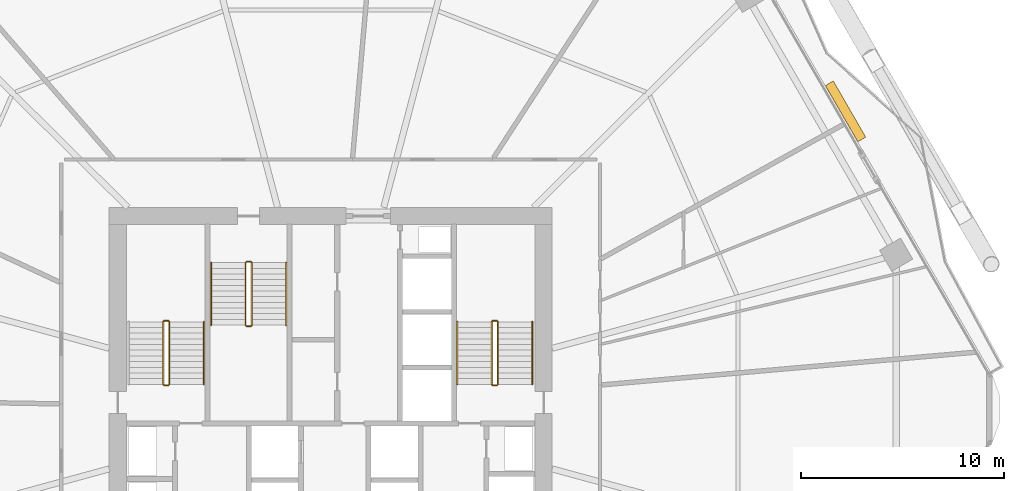
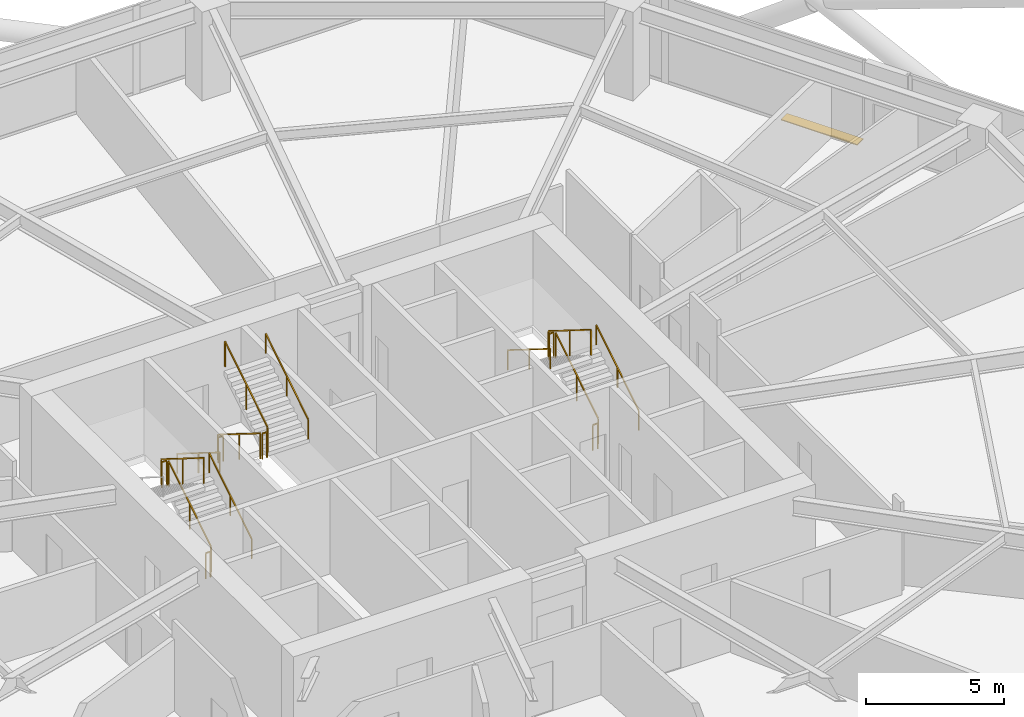
# One storey, part 29 of 30: 17 railings, 1 shading device.
"""IFC4 building model written with IfcOpenShell, lengths in metres."""

from ifc_helpers import new_model, si_unit, direction, frame, origin, origin_2d, place, context, subcontext, project, spatial, rectangle, extrude, material, layer, layer_set, type_object, element, save


model = new_model("IFC4")

# Units and contexts
model_context = context("Model", 3, precision=1e-05, world=origin(), true_north=direction((0.0, 1.0)))
body_context = subcontext(model_context, "Body", "Model", "MODEL_VIEW")
ifc_project = project(units=[si_unit("LENGTHUNIT", "METRE"), si_unit("AREAUNIT", "SQUARE_METRE"), si_unit("VOLUMEUNIT", "CUBIC_METRE"), si_unit("PLANEANGLEUNIT", "RADIAN"), si_unit("MASSUNIT", "GRAM", prefix="KILO")], contexts=[model_context])

# Site, building, storey
site_placement = place(None, origin())
site = spatial("IfcSite", under=ifc_project, at=site_placement, CompositionType="ELEMENT")
building_placement = place(site_placement, origin())
building = spatial("IfcBuilding", under=site, at=building_placement, Name="Zuhravey Tower", CompositionType="ELEMENT")
storey_placement = place(building_placement, frame((0.0, 0.0, 16.199951171875)))
storey = spatial("IfcBuildingStorey", under=building, at=storey_placement, Name="L04", CompositionType="ELEMENT", Elevation=16.199951171875)

# Shading device
ifc_material_1 = material(Name="Bronze-anodised extruded aluminium", Category="aluminium")
ifc_layer = layer(ifc_material_1, 0.0400390625)
ifc_layer_set = layer_set([ifc_layer], Name="Bronze-anodised extruded aluminium")
shading_device_type = type_object("IfcShadingDeviceType", Name="Horizontal Sunshade Fin", PredefinedType="JALOUSIE", material=ifc_layer_set)
shading_device_placement = place(storey_placement, frame((61.394775390625, 46.66162109375, -0.099853515625), z_axis=(0.0, 0.0, 1.0), x_axis=(0.5, -0.866025403784, 0.0)))
element("IfcShadingDevice", 1, at=shading_device_placement, inside=storey, type_object=shading_device_type, Name="L04 Face 1 Horizontal Sunshade Fin SUN1", PredefinedType="JALOUSIE", context=body_context, shape_type="SweptSolid", body=[
    extrude(rectangle(XDim=3.199951171875, YDim=0.449951171875, at=origin_2d()), origin(), (0.0, 0.0, 1.0), 0.0400390625),
])

# Railings
ifc_material_2 = material(Name="Brushed stainless steel", Category="steel")
railing_type_1 = type_object("IfcRailingType", Name="Stair Wall Handrail 900", PredefinedType="HANDRAIL", material=ifc_material_2)
for number, where, name in (
    (2, (29.75, 33.199951171875, 0.175048828125), "L04 ST1 stair handrail 1"),
    (3, (45.949951171875, 33.199951171875, 0.175048828125), "L04 ST2 stair handrail 1"),
):
    element("IfcRailing", number, at=place(storey_placement, frame(where)), inside=storey, type_object=railing_type_1, Name=name, PredefinedType="HANDRAIL", context=body_context, shape_type="SweptSolid", body=[
        extrude(rectangle(XDim=0.048095703125, YDim=0.048095703125, at=origin_2d()), frame((0.0, 0.001708984375, 0.876953125), z_axis=(0.0, 0.847998304005, 0.529998940003), x_axis=(-1.0, 0.0, 0.0)), (0.0, 0.0, 1.0), 3.628173828125),
        extrude(rectangle(XDim=0.0419921875, YDim=0.0419921875, at=origin_2d()), origin(), (0.0, 0.0, 1.0), 0.849853515625),
        extrude(rectangle(XDim=0.0419921875, YDim=0.0419921875, at=origin_2d()), frame((0.0, 1.5400390625, 0.96240234375)), (0.0, 0.0, 1.0), 0.849853515625),
        extrude(rectangle(XDim=0.0419921875, YDim=0.0419921875, at=origin_2d()), frame((0.0, 3.080078125, 1.925048828125)), (0.0, 0.0, 1.0), 0.849853515625),
    ])
railing_1_placement = place(storey_placement, frame((42.25, 36.280029296875, 2.275146484375)))
element("IfcRailing", 4, at=railing_1_placement, inside=storey, type_object=railing_type_1, Name="L04 ST2 stair handrail 2", PredefinedType="HANDRAIL", context=body_context, shape_type="SweptSolid", body=[
    extrude(rectangle(XDim=0.048095703125, YDim=0.048095703125, at=origin_2d()), frame((0.0, -0.001708984375, 0.876953125), z_axis=(0.0, -0.848028513186, 0.529950602248), x_axis=(1.0, 0.0, 0.0)), (0.0, 0.0, 1.0), 3.6279296875),
    extrude(rectangle(XDim=0.0419921875, YDim=0.0419921875, at=origin_2d()), origin(), (0.0, 0.0, 1.0), 0.849853515625),
    extrude(rectangle(XDim=0.0419921875, YDim=0.0419921875, at=origin_2d()), frame((0.0, -1.5400390625, 0.96240234375)), (0.0, 0.0, 1.0), 0.849853515625),
    extrude(rectangle(XDim=0.0419921875, YDim=0.0419921875, at=origin_2d()), frame((0.0, -3.080078125, 1.9248046875)), (0.0, 0.0, 1.0), 0.849853515625),
])
railing_2_placement = place(storey_placement, frame((30.10009765625, 39.199951171875, 0.175048828125)))
element("IfcRailing", 5, at=railing_2_placement, inside=storey, type_object=railing_type_1, Name="L04 ST3 stair handrail 1", PredefinedType="HANDRAIL", context=body_context, shape_type="SweptSolid", body=[
    extrude(rectangle(XDim=0.048095703125, YDim=0.048095703125, at=origin_2d()), frame((0.0, -0.001708984375, 0.876953125), z_axis=(0.0, -0.847979421464, 0.530029150871), x_axis=(1.0, 0.0, 0.0)), (0.0, 0.0, 1.0), 3.6279296875),
    extrude(rectangle(XDim=0.0419921875, YDim=0.0419921875, at=origin_2d()), origin(), (0.0, 0.0, 1.0), 0.849853515625),
    extrude(rectangle(XDim=0.0419921875, YDim=0.0419921875, at=origin_2d()), frame((0.0, -1.5400390625, 0.96240234375)), (0.0, 0.0, 1.0), 0.849853515625),
    extrude(rectangle(XDim=0.0419921875, YDim=0.0419921875, at=origin_2d()), frame((0.0, -3.079833984375, 1.925048828125)), (0.0, 0.0, 1.0), 0.849853515625),
])
railing_3_placement = place(storey_placement, frame((33.800048828125, 36.1201171875, 2.275146484375)))
element("IfcRailing", 6, at=railing_3_placement, inside=storey, type_object=railing_type_1, Name="L04 ST3 stair handrail 2", PredefinedType="HANDRAIL", context=body_context, shape_type="SweptSolid", body=[
    extrude(rectangle(XDim=0.048095703125, YDim=0.048095703125, at=origin_2d()), frame((0.0, 0.001708984375, 0.876953125), z_axis=(0.0, 0.848009633417, 0.529980812513), x_axis=(-1.0, 0.0, 0.0)), (0.0, 0.0, 1.0), 3.6279296875),
    extrude(rectangle(XDim=0.0419921875, YDim=0.0419921875, at=origin_2d()), origin(), (0.0, 0.0, 1.0), 0.849853515625),
    extrude(rectangle(XDim=0.0419921875, YDim=0.0419921875, at=origin_2d()), frame((0.0, 1.5400390625, 0.96240234375)), (0.0, 0.0, 1.0), 0.849853515625),
    extrude(rectangle(XDim=0.0419921875, YDim=0.0419921875, at=origin_2d()), frame((0.0, 3.079833984375, 1.9248046875)), (0.0, 0.0, 1.0), 0.849853515625),
])
ifc_material_3 = material(Name="Painted tubular steel", Category="steel")
railing_type_2 = type_object("IfcRailingType", Name="Stair Well Guardrail 1150", PredefinedType="GUARDRAIL", material=ifc_material_3)
railing_4_placement = place(storey_placement, frame((28.050048828125, 33.199951171875, 0.175048828125)))
element("IfcRailing", 7, at=railing_4_placement, inside=storey, type_object=railing_type_2, Name="L04 ST1 stair guard 1", PredefinedType="GUARDRAIL", context=body_context, shape_type="SweptSolid", body=[
    extrude(rectangle(XDim=0.048095703125, YDim=0.048095703125, at=origin_2d()), frame((0.0, 0.001708984375, 1.126953125), z_axis=(0.0, 0.847998304005, 0.529998940003), x_axis=(-1.0, 0.0, 0.0)), (0.0, 0.0, 1.0), 3.628173828125),
    extrude(rectangle(XDim=0.0419921875, YDim=0.0419921875, at=origin_2d()), origin(), (0.0, 0.0, 1.0), 1.099853515625),
    extrude(rectangle(XDim=0.0419921875, YDim=0.0419921875, at=origin_2d()), frame((0.0, 1.5400390625, 0.96240234375)), (0.0, 0.0, 1.0), 1.099853515625),
    extrude(rectangle(XDim=0.0419921875, YDim=0.0419921875, at=origin_2d()), frame((0.0, 3.080078125, 1.925048828125)), (0.0, 0.0, 1.0), 1.099853515625),
])
railing_5_placement = place(storey_placement, frame((28.0, 36.330078125, 2.10009765625)))
element("IfcRailing", 8, at=railing_5_placement, inside=storey, type_object=railing_type_2, Name="L04 ST1 stair guard 2", PredefinedType="GUARDRAIL", context=body_context, shape_type="SweptSolid", body=[
    extrude(rectangle(XDim=0.048095703125, YDim=0.048095703125, at=origin_2d()), frame((-0.001953125, 0.0, 1.1259765625), z_axis=(-1.0, 0.0, 0.0), x_axis=(0.0, -1.0, 0.0)), (0.0, 0.0, 1.0), 0.196044921875),
    extrude(rectangle(XDim=0.0419921875, YDim=0.0419921875, at=origin_2d()), origin(), (0.0, 0.0, 1.0), 1.099853515625),
    extrude(rectangle(XDim=0.0419921875, YDim=0.0419921875, at=origin_2d()), frame((-0.199951171875, 0.0, 0.0)), (0.0, 0.0, 1.0), 1.099853515625),
])
railing_6_placement = place(storey_placement, frame((27.75, 36.280029296875, 2.275146484375)))
element("IfcRailing", 9, at=railing_6_placement, inside=storey, type_object=railing_type_2, Name="L04 ST1 stair guard 3", PredefinedType="GUARDRAIL", context=body_context, shape_type="SweptSolid", body=[
    extrude(rectangle(XDim=0.048095703125, YDim=0.048095703125, at=origin_2d()), frame((0.0, -0.001708984375, 1.126953125), z_axis=(0.0, -0.848028513186, 0.529950602248), x_axis=(1.0, 0.0, 0.0)), (0.0, 0.0, 1.0), 3.6279296875),
    extrude(rectangle(XDim=0.0419921875, YDim=0.0419921875, at=origin_2d()), origin(), (0.0, 0.0, 1.0), 1.099853515625),
    extrude(rectangle(XDim=0.0419921875, YDim=0.0419921875, at=origin_2d()), frame((0.0, -1.5400390625, 0.96240234375)), (0.0, 0.0, 1.0), 1.099853515625),
    extrude(rectangle(XDim=0.0419921875, YDim=0.0419921875, at=origin_2d()), frame((0.0, -3.080078125, 1.9248046875)), (0.0, 0.0, 1.0), 1.099853515625),
])
railing_7_placement = place(storey_placement, frame((28.0, 33.14990234375, 0.0)))
element("IfcRailing", 10, at=railing_7_placement, inside=storey, type_object=railing_type_2, Name="L04 ST1 stair guard 4", PredefinedType="GUARDRAIL", context=body_context, shape_type="SweptSolid", body=[
    extrude(rectangle(XDim=0.048095703125, YDim=0.048095703125, at=origin_2d()), frame((-0.001953125, 0.0, 1.1259765625), z_axis=(-1.0, 0.0, 0.0), x_axis=(0.0, -1.0, 0.0)), (0.0, 0.0, 1.0), 0.196044921875),
    extrude(rectangle(XDim=0.0419921875, YDim=0.0419921875, at=origin_2d()), origin(), (0.0, 0.0, 1.0), 1.099853515625),
    extrude(rectangle(XDim=0.0419921875, YDim=0.0419921875, at=origin_2d()), frame((-0.199951171875, 0.0, 0.0)), (0.0, 0.0, 1.0), 1.099853515625),
])
railing_8_placement = place(storey_placement, frame((44.25, 33.199951171875, 0.175048828125)))
element("IfcRailing", 11, at=railing_8_placement, inside=storey, type_object=railing_type_2, Name="L04 ST2 stair guard 1", PredefinedType="GUARDRAIL", context=body_context, shape_type="SweptSolid", body=[
    extrude(rectangle(XDim=0.048095703125, YDim=0.048095703125, at=origin_2d()), frame((0.0, 0.001708984375, 1.126953125), z_axis=(0.0, 0.847998304005, 0.529998940003), x_axis=(-1.0, 0.0, 0.0)), (0.0, 0.0, 1.0), 3.628173828125),
    extrude(rectangle(XDim=0.0419921875, YDim=0.0419921875, at=origin_2d()), origin(), (0.0, 0.0, 1.0), 1.099853515625),
    extrude(rectangle(XDim=0.0419921875, YDim=0.0419921875, at=origin_2d()), frame((0.0, 1.5400390625, 0.96240234375)), (0.0, 0.0, 1.0), 1.099853515625),
    extrude(rectangle(XDim=0.0419921875, YDim=0.0419921875, at=origin_2d()), frame((0.0, 3.080078125, 1.925048828125)), (0.0, 0.0, 1.0), 1.099853515625),
])
railing_9_placement = place(storey_placement, frame((44.199951171875, 36.330078125, 2.10009765625)))
element("IfcRailing", 12, at=railing_9_placement, inside=storey, type_object=railing_type_2, Name="L04 ST2 stair guard 2", PredefinedType="GUARDRAIL", context=body_context, shape_type="SweptSolid", body=[
    extrude(rectangle(XDim=0.048095703125, YDim=0.048095703125, at=origin_2d()), frame((-0.001953125, 0.0, 1.1259765625), z_axis=(-1.0, 0.0, 0.0), x_axis=(0.0, -1.0, 0.0)), (0.0, 0.0, 1.0), 0.196044921875),
    extrude(rectangle(XDim=0.0419921875, YDim=0.0419921875, at=origin_2d()), origin(), (0.0, 0.0, 1.0), 1.099853515625),
    extrude(rectangle(XDim=0.0419921875, YDim=0.0419921875, at=origin_2d()), frame((-0.199951171875, 0.0, 0.0)), (0.0, 0.0, 1.0), 1.099853515625),
])
railing_10_placement = place(storey_placement, frame((43.949951171875, 36.280029296875, 2.275146484375)))
element("IfcRailing", 13, at=railing_10_placement, inside=storey, type_object=railing_type_2, Name="L04 ST2 stair guard 3", PredefinedType="GUARDRAIL", context=body_context, shape_type="SweptSolid", body=[
    extrude(rectangle(XDim=0.048095703125, YDim=0.048095703125, at=origin_2d()), frame((0.0, -0.001708984375, 1.126953125), z_axis=(0.0, -0.848028513186, 0.529950602248), x_axis=(1.0, 0.0, 0.0)), (0.0, 0.0, 1.0), 3.6279296875),
    extrude(rectangle(XDim=0.0419921875, YDim=0.0419921875, at=origin_2d()), origin(), (0.0, 0.0, 1.0), 1.099853515625),
    extrude(rectangle(XDim=0.0419921875, YDim=0.0419921875, at=origin_2d()), frame((0.0, -1.5400390625, 0.96240234375)), (0.0, 0.0, 1.0), 1.099853515625),
    extrude(rectangle(XDim=0.0419921875, YDim=0.0419921875, at=origin_2d()), frame((0.0, -3.080078125, 1.9248046875)), (0.0, 0.0, 1.0), 1.099853515625),
])
railing_11_placement = place(storey_placement, frame((44.199951171875, 33.14990234375, 0.0)))
element("IfcRailing", 14, at=railing_11_placement, inside=storey, type_object=railing_type_2, Name="L04 ST2 stair guard 4", PredefinedType="GUARDRAIL", context=body_context, shape_type="SweptSolid", body=[
    extrude(rectangle(XDim=0.048095703125, YDim=0.048095703125, at=origin_2d()), frame((-0.001953125, 0.0, 1.1259765625), z_axis=(-1.0, 0.0, 0.0), x_axis=(0.0, -1.0, 0.0)), (0.0, 0.0, 1.0), 0.196044921875),
    extrude(rectangle(XDim=0.0419921875, YDim=0.0419921875, at=origin_2d()), origin(), (0.0, 0.0, 1.0), 1.099853515625),
    extrude(rectangle(XDim=0.0419921875, YDim=0.0419921875, at=origin_2d()), frame((-0.199951171875, 0.0, 0.0)), (0.0, 0.0, 1.0), 1.099853515625),
])
railing_12_placement = place(storey_placement, frame((31.800048828125, 39.199951171875, 0.175048828125)))
element("IfcRailing", 15, at=railing_12_placement, inside=storey, type_object=railing_type_2, Name="L04 ST3 stair guard 1", PredefinedType="GUARDRAIL", context=body_context, shape_type="SweptSolid", body=[
    extrude(rectangle(XDim=0.048095703125, YDim=0.048095703125, at=origin_2d()), frame((0.0, -0.001708984375, 1.126953125), z_axis=(0.0, -0.847979421464, 0.530029150871), x_axis=(1.0, 0.0, 0.0)), (0.0, 0.0, 1.0), 3.6279296875),
    extrude(rectangle(XDim=0.0419921875, YDim=0.0419921875, at=origin_2d()), origin(), (0.0, 0.0, 1.0), 1.099853515625),
    extrude(rectangle(XDim=0.0419921875, YDim=0.0419921875, at=origin_2d()), frame((0.0, -1.5400390625, 0.96240234375)), (0.0, 0.0, 1.0), 1.099853515625),
    extrude(rectangle(XDim=0.0419921875, YDim=0.0419921875, at=origin_2d()), frame((0.0, -3.079833984375, 1.925048828125)), (0.0, 0.0, 1.0), 1.099853515625),
])
railing_13_placement = place(storey_placement, frame((31.85009765625, 36.070068359375, 2.10009765625)))
element("IfcRailing", 16, at=railing_13_placement, inside=storey, type_object=railing_type_2, Name="L04 ST3 stair guard 2", PredefinedType="GUARDRAIL", context=body_context, shape_type="SweptSolid", body=[
    extrude(rectangle(XDim=0.048095703125, YDim=0.048095703125, at=origin_2d()), frame((0.001953125, 0.0, 1.1259765625), z_axis=(1.0, 0.0, 0.0), x_axis=(0.0, 1.0, 0.0)), (0.0, 0.0, 1.0), 0.196044921875),
    extrude(rectangle(XDim=0.0419921875, YDim=0.0419921875, at=origin_2d()), origin(), (0.0, 0.0, 1.0), 1.099853515625),
    extrude(rectangle(XDim=0.0419921875, YDim=0.0419921875, at=origin_2d()), frame((0.199951171875, 0.0, 0.0)), (0.0, 0.0, 1.0), 1.099853515625),
])
railing_14_placement = place(storey_placement, frame((32.10009765625, 36.1201171875, 2.275146484375)))
element("IfcRailing", 17, at=railing_14_placement, inside=storey, type_object=railing_type_2, Name="L04 ST3 stair guard 3", PredefinedType="GUARDRAIL", context=body_context, shape_type="SweptSolid", body=[
    extrude(rectangle(XDim=0.048095703125, YDim=0.048095703125, at=origin_2d()), frame((0.0, 0.001708984375, 1.126953125), z_axis=(0.0, 0.848009633417, 0.529980812513), x_axis=(-1.0, 0.0, 0.0)), (0.0, 0.0, 1.0), 3.6279296875),
    extrude(rectangle(XDim=0.0419921875, YDim=0.0419921875, at=origin_2d()), origin(), (0.0, 0.0, 1.0), 1.099853515625),
    extrude(rectangle(XDim=0.0419921875, YDim=0.0419921875, at=origin_2d()), frame((0.0, 1.5400390625, 0.96240234375)), (0.0, 0.0, 1.0), 1.099853515625),
    extrude(rectangle(XDim=0.0419921875, YDim=0.0419921875, at=origin_2d()), frame((0.0, 3.079833984375, 1.9248046875)), (0.0, 0.0, 1.0), 1.099853515625),
])
railing_15_placement = place(storey_placement, frame((31.85009765625, 39.25, 0.0)))
element("IfcRailing", 18, at=railing_15_placement, inside=storey, type_object=railing_type_2, Name="L04 ST3 stair guard 4", PredefinedType="GUARDRAIL", context=body_context, shape_type="SweptSolid", body=[
    extrude(rectangle(XDim=0.048095703125, YDim=0.048095703125, at=origin_2d()), frame((0.001953125, 0.0, 1.1259765625), z_axis=(1.0, 0.0, 0.0), x_axis=(0.0, 1.0, 0.0)), (0.0, 0.0, 1.0), 0.196044921875),
    extrude(rectangle(XDim=0.0419921875, YDim=0.0419921875, at=origin_2d()), origin(), (0.0, 0.0, 1.0), 1.099853515625),
    extrude(rectangle(XDim=0.0419921875, YDim=0.0419921875, at=origin_2d()), frame((0.199951171875, 0.0, 0.0)), (0.0, 0.0, 1.0), 1.099853515625),
])

save(model, "model.ifc")
